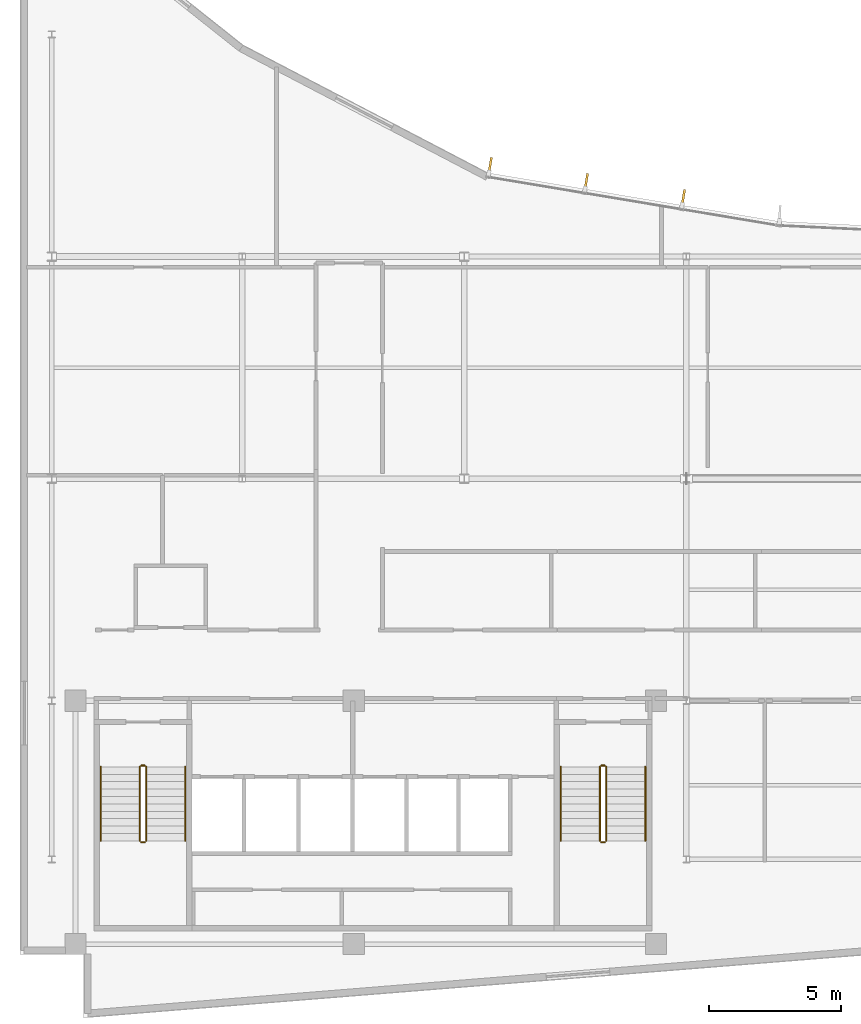
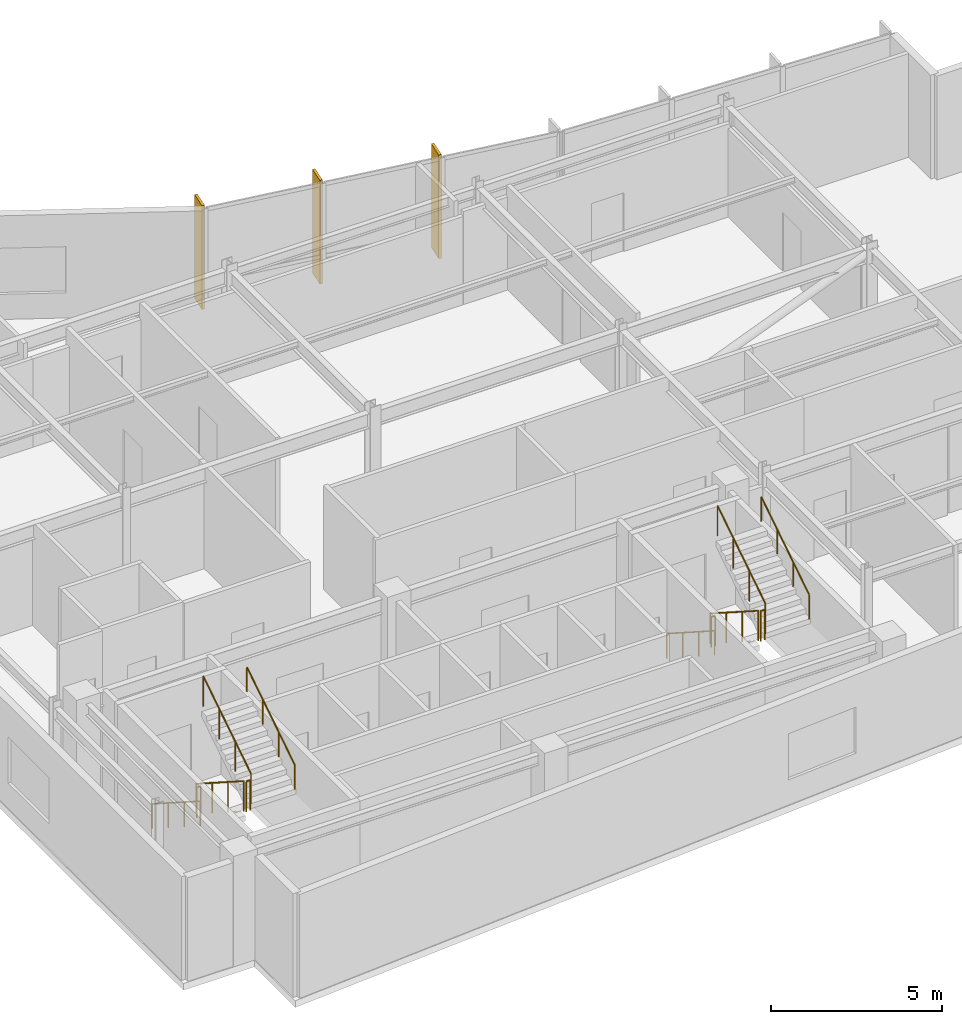
# One storey, part 15 of 17: 12 railings, 3 shading devices.
"""IFC4 building model written with IfcOpenShell, lengths in metres."""

from ifc_helpers import new_model, si_unit, direction, frame, origin, origin_2d, place, context, subcontext, project, spatial, rectangle, circle, extrude, material, layer, layer_set, type_object, element, save


model = new_model("IFC4")

# Units and contexts
model_context = context("Model", 3, precision=1e-05, world=origin(), true_north=direction((0.0, 1.0)))
body_context = subcontext(model_context, "Body", "Model", "MODEL_VIEW")
ifc_project = project(units=[si_unit("LENGTHUNIT", "METRE"), si_unit("AREAUNIT", "SQUARE_METRE"), si_unit("VOLUMEUNIT", "CUBIC_METRE"), si_unit("PLANEANGLEUNIT", "RADIAN"), si_unit("MASSUNIT", "GRAM", prefix="KILO")], contexts=[model_context])

# Site, building, storey
site_placement = place(None, origin())
site = spatial("IfcSite", under=ifc_project, at=site_placement, CompositionType="ELEMENT")
building_placement = place(site_placement, origin())
building = spatial("IfcBuilding", under=site, at=building_placement, Name="Varnakote Quay Hospital", CompositionType="ELEMENT")
storey_placement = place(building_placement, frame((0.0, 0.0, 256.550048828125)))
storey = spatial("IfcBuildingStorey", under=building, at=storey_placement, Name="L63", CompositionType="ELEMENT", Elevation=256.550048828125)

# Railings
ifc_material_1 = material(Name="Brushed stainless steel balustrade", Category="steel")
railing_type_1 = type_object("IfcRailingType", Name="RLG-STAIR-GUARD-1150", PredefinedType="GUARDRAIL", material=ifc_material_1)
railing_1_placement = place(storey_placement, frame((4.530029296875, 9.5, 0.179443359375)))
element("IfcRailing", 1, at=railing_1_placement, inside=storey, type_object=railing_type_1, Name="L63 ST-01 stair guard 1", PredefinedType="GUARDRAIL", context=body_context, shape_type="SweptSolid", body=[
    extrude(circle(Radius=0.02392578125, at=origin_2d()), frame((0.0, 0.0, 1.076171875), z_axis=(0.0, -0.841809871826, 0.539774156196), x_axis=(1.0, 0.0, 0.0)), (0.0, 0.0, 1.0), 3.326171875),
    extrude(circle(Radius=0.02099609375, at=origin_2d()), origin(), (0.0, 0.0, 1.0), 1.052001953125),
    extrude(circle(Radius=0.02099609375, at=origin_2d()), frame((0.0, -0.933349609375, 0.598388671875)), (0.0, 0.0, 1.0), 1.052001953125),
    extrude(circle(Radius=0.02099609375, at=origin_2d()), frame((0.0, -1.86669921875, 1.197021484375)), (0.0, 0.0, 1.0), 1.052001953125),
    extrude(circle(Radius=0.02099609375, at=origin_2d()), frame((0.0, -2.800048828125, 1.79541015625)), (0.0, 0.0, 1.0), 1.052001953125),
])
railing_2_placement = place(storey_placement, frame((4.580078125, 6.64990234375, 1.974853515625)))
element("IfcRailing", 2, at=railing_2_placement, inside=storey, type_object=railing_type_1, Name="L63 ST-01 stair guard 2", PredefinedType="GUARDRAIL", context=body_context, shape_type="SweptSolid", body=[
    extrude(circle(Radius=0.02392578125, at=origin_2d()), frame((0.0, 0.0, 1.076171875), z_axis=(1.0, 0.0, 0.0), x_axis=(0.0, 1.0, 0.0)), (0.0, 0.0, 1.0), 0.139892578125),
    extrude(circle(Radius=0.02099609375, at=origin_2d()), origin(), (0.0, 0.0, 1.0), 1.052001953125),
    extrude(circle(Radius=0.02099609375, at=origin_2d()), frame((0.139892578125, 0.0, 0.0)), (0.0, 0.0, 1.0), 1.052001953125),
])
railing_3_placement = place(storey_placement, frame((4.77001953125, 6.699951171875, 2.154541015625)))
element("IfcRailing", 3, at=railing_3_placement, inside=storey, type_object=railing_type_1, Name="L63 ST-01 stair guard 3", PredefinedType="GUARDRAIL", context=body_context, shape_type="SweptSolid", body=[
    extrude(circle(Radius=0.02392578125, at=origin_2d()), frame((0.0, 0.0, 1.076171875), z_axis=(0.0, 0.841809871826, 0.539774156196), x_axis=(-1.0, 0.0, 0.0)), (0.0, 0.0, 1.0), 3.326171875),
    extrude(circle(Radius=0.02099609375, at=origin_2d()), origin(), (0.0, 0.0, 1.0), 1.052001953125),
    extrude(circle(Radius=0.02099609375, at=origin_2d()), frame((0.0, 0.933349609375, 0.598388671875)), (0.0, 0.0, 1.0), 1.052001953125),
    extrude(circle(Radius=0.02099609375, at=origin_2d()), frame((0.0, 1.86669921875, 1.197021484375)), (0.0, 0.0, 1.0), 1.052001953125),
    extrude(circle(Radius=0.02099609375, at=origin_2d()), frame((0.0, 2.800048828125, 1.79541015625)), (0.0, 0.0, 1.0), 1.052001953125),
])
railing_4_placement = place(storey_placement, frame((4.580078125, 9.550048828125, 0.0)))
element("IfcRailing", 4, at=railing_4_placement, inside=storey, type_object=railing_type_1, Name="L63 ST-01 stair guard 4", PredefinedType="GUARDRAIL", context=body_context, shape_type="SweptSolid", body=[
    extrude(circle(Radius=0.02392578125, at=origin_2d()), frame((0.0, 0.0, 1.076171875), z_axis=(1.0, 0.0, 0.0), x_axis=(0.0, 1.0, 0.0)), (0.0, 0.0, 1.0), 0.139892578125),
    extrude(circle(Radius=0.02099609375, at=origin_2d()), origin(), (0.0, 0.0, 1.0), 1.052001953125),
    extrude(circle(Radius=0.02099609375, at=origin_2d()), frame((0.139892578125, 0.0, 0.0)), (0.0, 0.0, 1.0), 1.052001953125),
])
railing_5_placement = place(storey_placement, frame((21.929931640625, 9.5, 0.179443359375)))
element("IfcRailing", 5, at=railing_5_placement, inside=storey, type_object=railing_type_1, Name="L63 ST-02 stair guard 1", PredefinedType="GUARDRAIL", context=body_context, shape_type="SweptSolid", body=[
    extrude(circle(Radius=0.02392578125, at=origin_2d()), frame((0.0, 0.0, 1.076171875), z_axis=(0.0, -0.841809871826, 0.539774156196), x_axis=(1.0, 0.0, 0.0)), (0.0, 0.0, 1.0), 3.326171875),
    extrude(circle(Radius=0.02099609375, at=origin_2d()), origin(), (0.0, 0.0, 1.0), 1.052001953125),
    extrude(circle(Radius=0.02099609375, at=origin_2d()), frame((0.0, -0.933349609375, 0.598388671875)), (0.0, 0.0, 1.0), 1.052001953125),
    extrude(circle(Radius=0.02099609375, at=origin_2d()), frame((0.0, -1.86669921875, 1.197021484375)), (0.0, 0.0, 1.0), 1.052001953125),
    extrude(circle(Radius=0.02099609375, at=origin_2d()), frame((0.0, -2.800048828125, 1.79541015625)), (0.0, 0.0, 1.0), 1.052001953125),
])
railing_6_placement = place(storey_placement, frame((21.97998046875, 6.64990234375, 1.974853515625)))
element("IfcRailing", 6, at=railing_6_placement, inside=storey, type_object=railing_type_1, Name="L63 ST-02 stair guard 2", PredefinedType="GUARDRAIL", context=body_context, shape_type="SweptSolid", body=[
    extrude(circle(Radius=0.02392578125, at=origin_2d()), frame((0.0, 0.0, 1.076171875), z_axis=(1.0, 0.0, 0.0), x_axis=(0.0, 1.0, 0.0)), (0.0, 0.0, 1.0), 0.14013671875),
    extrude(circle(Radius=0.02099609375, at=origin_2d()), origin(), (0.0, 0.0, 1.0), 1.052001953125),
    extrude(circle(Radius=0.02099609375, at=origin_2d()), frame((0.14013671875, 0.0, 0.0)), (0.0, 0.0, 1.0), 1.052001953125),
])
railing_7_placement = place(storey_placement, frame((22.169921875, 6.699951171875, 2.154541015625)))
element("IfcRailing", 7, at=railing_7_placement, inside=storey, type_object=railing_type_1, Name="L63 ST-02 stair guard 3", PredefinedType="GUARDRAIL", context=body_context, shape_type="SweptSolid", body=[
    extrude(circle(Radius=0.02392578125, at=origin_2d()), frame((0.0, 0.0, 1.076171875), z_axis=(0.0, 0.841809871826, 0.539774156196), x_axis=(-1.0, 0.0, 0.0)), (0.0, 0.0, 1.0), 3.326171875),
    extrude(circle(Radius=0.02099609375, at=origin_2d()), origin(), (0.0, 0.0, 1.0), 1.052001953125),
    extrude(circle(Radius=0.02099609375, at=origin_2d()), frame((0.0, 0.933349609375, 0.598388671875)), (0.0, 0.0, 1.0), 1.052001953125),
    extrude(circle(Radius=0.02099609375, at=origin_2d()), frame((0.0, 1.86669921875, 1.197021484375)), (0.0, 0.0, 1.0), 1.052001953125),
    extrude(circle(Radius=0.02099609375, at=origin_2d()), frame((0.0, 2.800048828125, 1.79541015625)), (0.0, 0.0, 1.0), 1.052001953125),
])
railing_8_placement = place(storey_placement, frame((21.97998046875, 9.550048828125, 0.0)))
element("IfcRailing", 8, at=railing_8_placement, inside=storey, type_object=railing_type_1, Name="L63 ST-02 stair guard 4", PredefinedType="GUARDRAIL", context=body_context, shape_type="SweptSolid", body=[
    extrude(circle(Radius=0.02392578125, at=origin_2d()), frame((0.0, 0.0, 1.076171875), z_axis=(1.0, 0.0, 0.0), x_axis=(0.0, 1.0, 0.0)), (0.0, 0.0, 1.0), 0.14013671875),
    extrude(circle(Radius=0.02099609375, at=origin_2d()), origin(), (0.0, 0.0, 1.0), 1.052001953125),
    extrude(circle(Radius=0.02099609375, at=origin_2d()), frame((0.14013671875, 0.0, 0.0)), (0.0, 0.0, 1.0), 1.052001953125),
])
ifc_material_2 = material(Name="Brushed stainless steel handrail", Category="steel")
railing_type_2 = type_object("IfcRailingType", Name="RLG-STAIR-HND-920", PredefinedType="HANDRAIL", material=ifc_material_2)
railing_9_placement = place(storey_placement, frame((3.050048828125, 9.5, 0.179443359375)))
element("IfcRailing", 9, at=railing_9_placement, inside=storey, type_object=railing_type_2, Name="L63 ST-01 stair handrail 1", PredefinedType="HANDRAIL", context=body_context, shape_type="SweptSolid", body=[
    extrude(circle(Radius=0.02392578125, at=origin_2d()), frame((0.0, 0.0, 0.8759765625), z_axis=(0.0, -0.841809871826, 0.539774156196), x_axis=(1.0, 0.0, 0.0)), (0.0, 0.0, 1.0), 3.326171875),
    extrude(circle(Radius=0.02099609375, at=origin_2d()), origin(), (0.0, 0.0, 1.0), 0.851806640625),
    extrude(circle(Radius=0.02099609375, at=origin_2d()), frame((0.0, -0.933349609375, 0.598388671875)), (0.0, 0.0, 1.0), 0.851806640625),
    extrude(circle(Radius=0.02099609375, at=origin_2d()), frame((0.0, -1.86669921875, 1.197021484375)), (0.0, 0.0, 1.0), 0.851806640625),
    extrude(circle(Radius=0.02099609375, at=origin_2d()), frame((0.0, -2.800048828125, 1.79541015625)), (0.0, 0.0, 1.0), 0.851806640625),
])
railing_10_placement = place(storey_placement, frame((6.25, 6.699951171875, 2.154541015625)))
element("IfcRailing", 10, at=railing_10_placement, inside=storey, type_object=railing_type_2, Name="L63 ST-01 stair handrail 2", PredefinedType="HANDRAIL", context=body_context, shape_type="SweptSolid", body=[
    extrude(circle(Radius=0.02392578125, at=origin_2d()), frame((0.0, 0.0, 0.8759765625), z_axis=(0.0, 0.841809871826, 0.539774156196), x_axis=(-1.0, 0.0, 0.0)), (0.0, 0.0, 1.0), 3.326171875),
    extrude(circle(Radius=0.02099609375, at=origin_2d()), origin(), (0.0, 0.0, 1.0), 0.851806640625),
    extrude(circle(Radius=0.02099609375, at=origin_2d()), frame((0.0, 0.933349609375, 0.598388671875)), (0.0, 0.0, 1.0), 0.851806640625),
    extrude(circle(Radius=0.02099609375, at=origin_2d()), frame((0.0, 1.86669921875, 1.197021484375)), (0.0, 0.0, 1.0), 0.851806640625),
    extrude(circle(Radius=0.02099609375, at=origin_2d()), frame((0.0, 2.800048828125, 1.79541015625)), (0.0, 0.0, 1.0), 0.851806640625),
])
railing_11_placement = place(storey_placement, frame((20.449951171875, 9.5, 0.179443359375)))
element("IfcRailing", 11, at=railing_11_placement, inside=storey, type_object=railing_type_2, Name="L63 ST-02 stair handrail 1", PredefinedType="HANDRAIL", context=body_context, shape_type="SweptSolid", body=[
    extrude(circle(Radius=0.02392578125, at=origin_2d()), frame((0.0, 0.0, 0.8759765625), z_axis=(0.0, -0.841809871826, 0.539774156196), x_axis=(1.0, 0.0, 0.0)), (0.0, 0.0, 1.0), 3.326171875),
    extrude(circle(Radius=0.02099609375, at=origin_2d()), origin(), (0.0, 0.0, 1.0), 0.851806640625),
    extrude(circle(Radius=0.02099609375, at=origin_2d()), frame((0.0, -0.933349609375, 0.598388671875)), (0.0, 0.0, 1.0), 0.851806640625),
    extrude(circle(Radius=0.02099609375, at=origin_2d()), frame((0.0, -1.86669921875, 1.197021484375)), (0.0, 0.0, 1.0), 0.851806640625),
    extrude(circle(Radius=0.02099609375, at=origin_2d()), frame((0.0, -2.800048828125, 1.79541015625)), (0.0, 0.0, 1.0), 0.851806640625),
])
railing_12_placement = place(storey_placement, frame((23.64990234375, 6.699951171875, 2.154541015625)))
element("IfcRailing", 12, at=railing_12_placement, inside=storey, type_object=railing_type_2, Name="L63 ST-02 stair handrail 2", PredefinedType="HANDRAIL", context=body_context, shape_type="SweptSolid", body=[
    extrude(circle(Radius=0.02392578125, at=origin_2d()), frame((0.0, 0.0, 0.8759765625), z_axis=(0.0, 0.841809871826, 0.539774156196), x_axis=(-1.0, 0.0, 0.0)), (0.0, 0.0, 1.0), 3.326171875),
    extrude(circle(Radius=0.02099609375, at=origin_2d()), origin(), (0.0, 0.0, 1.0), 0.851806640625),
    extrude(circle(Radius=0.02099609375, at=origin_2d()), frame((0.0, 0.933349609375, 0.598388671875)), (0.0, 0.0, 1.0), 0.851806640625),
    extrude(circle(Radius=0.02099609375, at=origin_2d()), frame((0.0, 1.86669921875, 1.197021484375)), (0.0, 0.0, 1.0), 0.851806640625),
    extrude(circle(Radius=0.02099609375, at=origin_2d()), frame((0.0, 2.800048828125, 1.79541015625)), (0.0, 0.0, 1.0), 0.851806640625),
])

# Shading devices
ifc_material_3 = material(Name="Anodised aluminium 6063-T6 Bronze", Category="aluminium")
ifc_layer = layer(ifc_material_3, 0.0849609375)
ifc_layer_set = layer_set([ifc_layer], Name="Anodised aluminium 6063-T6 Bronze")
shading_device_type = type_object("IfcShadingDeviceType", Name="SHD-BRONZE-FIN-620", PredefinedType="USERDEFINED", material=ifc_layer_set)
for number, where, z_axis, x_axis, name in (
    (13, (25.084228515625, 31.025146484375, 0.0), (0.0, 0.0, 1.0), (-0.16470331719, -0.986343153931, 0.0), "L63 Anodised Bronze Vertical Shading FIN"),
    (14, (21.415283203125, 31.6376953125, 0.0), (0.0, 0.0, 1.0), (-0.16470331719, -0.986343153931, 0.0), "L63 Anodised Bronze Vertical Shading FIN"),
    (15, (17.77880859375, 32.244873046875, 0.0), (0.0, 0.0, 1.0), (-0.16470331719, -0.986343153931, 0.0), "L63 Anodised Bronze Vertical Shading FIN"),
):
    element("IfcShadingDevice", number, at=place(storey_placement, frame(where, z_axis=z_axis, x_axis=x_axis)), inside=storey, type_object=shading_device_type, Name=name, ObjectType="FIN", PredefinedType="USERDEFINED", context=body_context, shape_type="SweptSolid", body=[
        extrude(rectangle(XDim=0.6201171875, YDim=0.0849609375, at=origin_2d()), origin(), (0.0, 0.0, 1.0), 3.7099609375),
    ])

save(model, "model.ifc")
